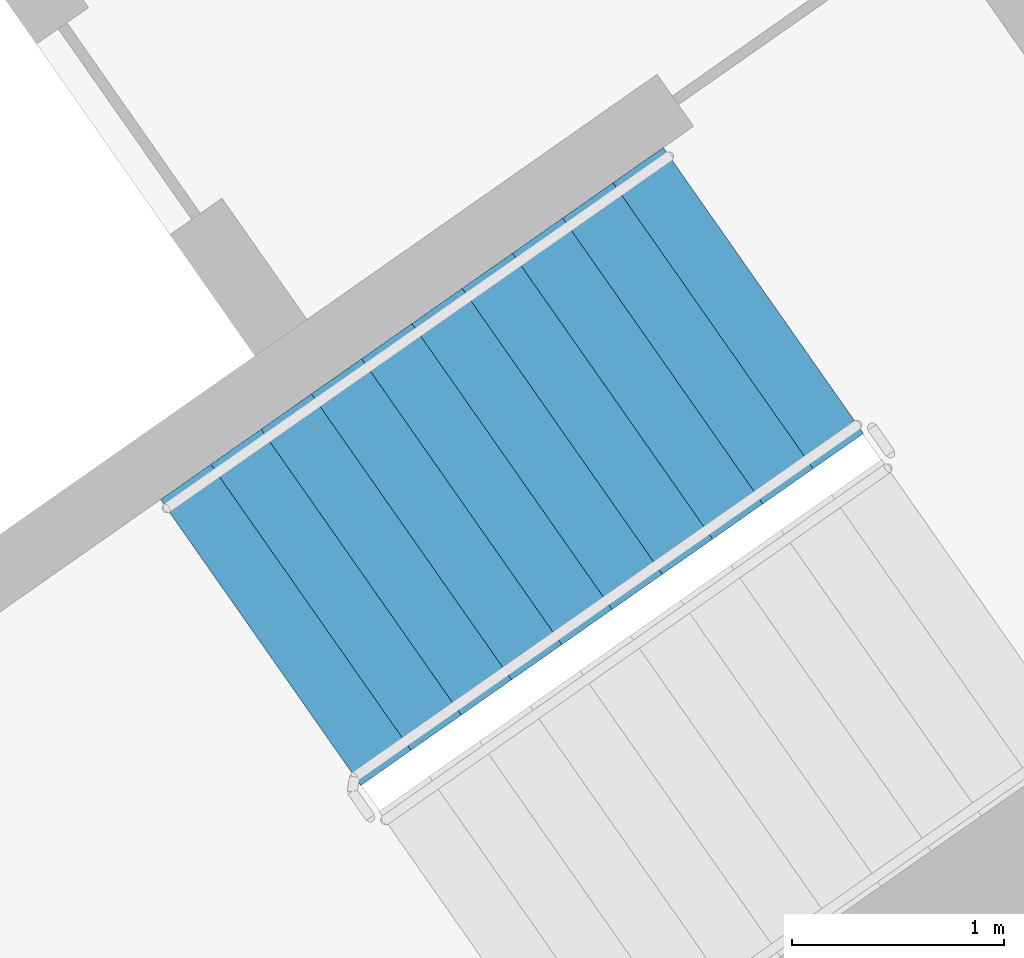
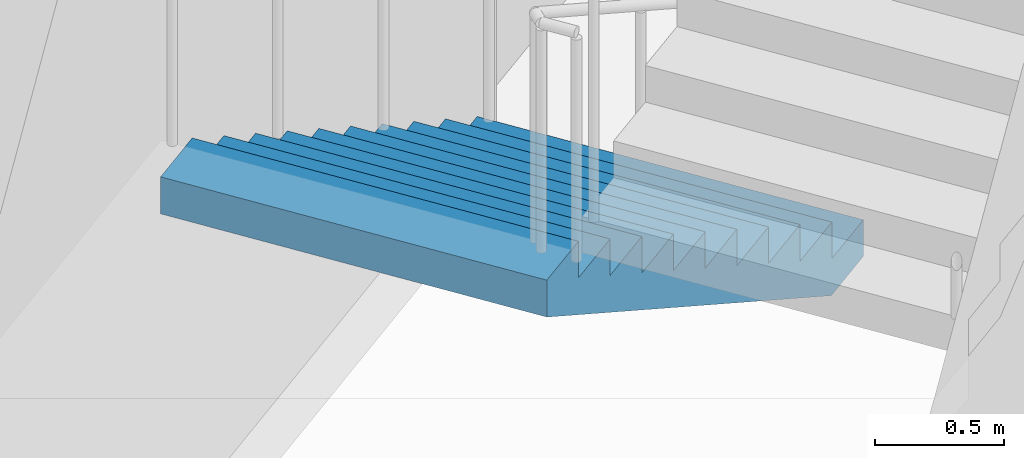
# One storey, part 14 of 28: 1 stair flight, 1 element without a shape of its own.
"""IFC4 building model written with IfcOpenShell, lengths in metres."""

from ifc_helpers import new_model, si_unit, direction, frame, origin, place, context, subcontext, project, spatial, faceted_brep, material, type_object, element, aggregate, save


model = new_model("IFC4")

# Units and contexts
model_context = context("Model", 3, precision=1e-05, world=origin(), true_north=direction((0.0, 1.0)))
body_context = subcontext(model_context, "Body", "Model", "MODEL_VIEW")
ifc_project = project(units=[si_unit("LENGTHUNIT", "METRE"), si_unit("AREAUNIT", "SQUARE_METRE"), si_unit("VOLUMEUNIT", "CUBIC_METRE"), si_unit("PLANEANGLEUNIT", "RADIAN"), si_unit("MASSUNIT", "GRAM", prefix="KILO")], contexts=[model_context])

# Site, building, storey
site_placement = place(None, origin())
site = spatial("IfcSite", under=ifc_project, at=site_placement, CompositionType="ELEMENT")
building_placement = place(site_placement, origin())
building = spatial("IfcBuilding", under=site, at=building_placement, Name="Qamariyya Broadcast Tower", CompositionType="ELEMENT")
storey_placement = place(building_placement, frame((0.0, 0.0, 241.699951171875)))
storey = spatial("IfcBuildingStorey", under=building, at=storey_placement, Name="L58", CompositionType="ELEMENT", Elevation=241.699951171875)

# Stair, stair flight
ifc_material = material(Name="Concrete C50/60", Category="concrete")
stair_type = type_object("IfcStairType", Name="Exit stair 22 risers of 173 mm", PredefinedType="HALF_TURN_STAIR", material=ifc_material)
stair_placement = place(storey_placement, origin())
stair = element("IfcStair", 1, at=stair_placement, inside=storey, type_object=stair_type, Name="L58 Stair E1", PredefinedType="HALF_TURN_STAIR")
stair_flight_type = type_object("IfcStairFlightType", Name="Exit stair flight 11 risers of 173 mm", PredefinedType="STRAIGHT", material=ifc_material)
stair_flight_placement = place(storey_placement, frame((46.036376953125, -55.508056640625, 0.0), z_axis=(0.0, 0.0, 1.0), x_axis=(-0.819152044289, -0.573576436351, 0.0)))
stair_flight = element("IfcStairFlight", 2, at=stair_flight_placement, type_object=stair_flight_type, Name="ST-E1 flight 1", NumberOfRisers=11, NumberOfTreads=10, PredefinedType="STRAIGHT", RiserHeight=0.172727273, TreadLength=0.29, context=body_context, shape_type="Brep", body=[
    faceted_brep([(0.0, 0.824951171875, 0.0), (0.0, 0.824951171875, 0.172607421875), (0.2900390625, 0.824951171875, 0.172607421875), (0.2900390625, 0.824951171875, 0.345458984375), (0.580078125, 0.824951171875, 0.345458984375), (0.580078125, 0.824951171875, 0.51806640625), (0.8701171875, 0.824951171875, 0.51806640625), (0.8701171875, 0.824951171875, 0.69091796875), (1.159912109375, 0.824951171875, 0.69091796875), (1.159912109375, 0.824951171875, 0.863525390625), (1.449951171875, 0.824951171875, 0.863525390625), (1.449951171875, 0.824951171875, 1.036376953125), (1.739990234375, 0.824951171875, 1.036376953125), (1.739990234375, 0.824951171875, 1.208984375), (2.030029296875, 0.824951171875, 1.208984375), (2.030029296875, 0.824951171875, 1.3818359375), (2.320068359375, 0.824951171875, 1.3818359375), (2.320068359375, 0.824951171875, 1.554443359375), (2.610107421875, 0.824951171875, 1.554443359375), (2.610107421875, 0.824951171875, 1.727294921875), (2.89990234375, 0.824951171875, 1.727294921875), (2.89990234375, 0.824951171875, 1.552734375), (0.29296875, 0.824951171875, 0.0), (0.29296875, -0.824951171875, 0.0), (2.89990234375, -0.824951171875, 1.552734375), (2.89990234375, -0.824951171875, 1.727294921875), (2.610107421875, -0.824951171875, 1.727294921875), (2.610107421875, -0.824951171875, 1.554443359375), (2.320068359375, -0.824951171875, 1.554443359375), (2.320068359375, -0.824951171875, 1.3818359375), (2.030029296875, -0.824951171875, 1.3818359375), (2.030029296875, -0.824951171875, 1.208984375), (1.739990234375, -0.824951171875, 1.208984375), (1.739990234375, -0.824951171875, 1.036376953125), (1.449951171875, -0.824951171875, 1.036376953125), (1.449951171875, -0.824951171875, 0.863525390625), (1.159912109375, -0.824951171875, 0.863525390625), (1.159912109375, -0.824951171875, 0.69091796875), (0.8701171875, -0.824951171875, 0.69091796875), (0.8701171875, -0.824951171875, 0.51806640625), (0.580078125, -0.824951171875, 0.51806640625), (0.580078125, -0.824951171875, 0.345458984375), (0.2900390625, -0.824951171875, 0.345458984375), (0.2900390625, -0.824951171875, 0.172607421875), (0.0, -0.824951171875, 0.172607421875), (0.0, -0.824951171875, 0.0), (0.0, 0.10009765625, 0.0), (0.0, 0.086669921875, 0.0), (0.0, 0.0732421875, 0.0), (0.0, 0.06005859375, 0.0), (0.0, 0.046630859375, 0.0), (0.0, 0.033447265625, 0.0), (0.0, 0.02001953125, 0.0), (0.0, 0.006591796875, 0.0), (0.0, -0.006591796875, 0.0), (0.0, -0.02001953125, 0.0), (0.0, -0.033447265625, 0.0), (0.0, -0.046630859375, 0.0), (0.0, -0.06005859375, 0.0), (0.0, -0.0732421875, 0.0), (0.0, -0.086669921875, 0.0), (0.0, -0.10009765625, 0.0), (0.0, -0.10009765625, 0.172607421875), (0.0, -0.086669921875, 0.172607421875), (0.0, -0.0732421875, 0.172607421875), (0.0, -0.06005859375, 0.172607421875), (0.0, -0.046630859375, 0.172607421875), (0.0, -0.033447265625, 0.172607421875), (0.0, -0.02001953125, 0.172607421875), (0.0, -0.006591796875, 0.172607421875), (0.0, 0.006591796875, 0.172607421875), (0.0, 0.02001953125, 0.172607421875), (0.0, 0.033447265625, 0.172607421875), (0.0, 0.046630859375, 0.172607421875), (0.0, 0.06005859375, 0.172607421875), (0.0, 0.0732421875, 0.172607421875), (0.0, 0.086669921875, 0.172607421875), (0.0, 0.10009765625, 0.172607421875), (0.2900390625, -0.10009765625, 0.172607421875), (0.2900390625, -0.086669921875, 0.172607421875), (0.2900390625, -0.0732421875, 0.172607421875), (0.2900390625, -0.06005859375, 0.172607421875), (0.2900390625, -0.046630859375, 0.172607421875), (0.2900390625, -0.033447265625, 0.172607421875), (0.2900390625, -0.02001953125, 0.172607421875), (0.2900390625, -0.006591796875, 0.172607421875), (0.2900390625, 0.006591796875, 0.172607421875), (0.2900390625, 0.02001953125, 0.172607421875), (0.2900390625, 0.033447265625, 0.172607421875), (0.2900390625, 0.046630859375, 0.172607421875), (0.2900390625, 0.06005859375, 0.172607421875), (0.2900390625, 0.0732421875, 0.172607421875), (0.2900390625, 0.086669921875, 0.172607421875), (0.2900390625, 0.10009765625, 0.172607421875), (0.2900390625, -0.10009765625, 0.345458984375), (0.2900390625, -0.086669921875, 0.345458984375), (0.2900390625, -0.0732421875, 0.345458984375), (0.2900390625, -0.06005859375, 0.345458984375), (0.2900390625, -0.046630859375, 0.345458984375), (0.2900390625, -0.033447265625, 0.345458984375), (0.2900390625, -0.02001953125, 0.345458984375), (0.2900390625, -0.006591796875, 0.345458984375), (0.2900390625, 0.006591796875, 0.345458984375), (0.2900390625, 0.02001953125, 0.345458984375), (0.2900390625, 0.033447265625, 0.345458984375), (0.2900390625, 0.046630859375, 0.345458984375), (0.2900390625, 0.06005859375, 0.345458984375), (0.2900390625, 0.0732421875, 0.345458984375), (0.2900390625, 0.086669921875, 0.345458984375), (0.2900390625, 0.10009765625, 0.345458984375), (0.580078125, -0.10009765625, 0.345458984375), (0.580078125, -0.086669921875, 0.345458984375), (0.580078125, -0.0732421875, 0.345458984375), (0.580078125, -0.06005859375, 0.345458984375), (0.580078125, -0.046630859375, 0.345458984375), (0.580078125, -0.033447265625, 0.345458984375), (0.580078125, -0.02001953125, 0.345458984375), (0.580078125, -0.006591796875, 0.345458984375), (0.580078125, 0.006591796875, 0.345458984375), (0.580078125, 0.02001953125, 0.345458984375), (0.580078125, 0.033447265625, 0.345458984375), (0.580078125, 0.046630859375, 0.345458984375), (0.580078125, 0.06005859375, 0.345458984375), (0.580078125, 0.0732421875, 0.345458984375), (0.580078125, 0.086669921875, 0.345458984375), (0.580078125, 0.10009765625, 0.345458984375), (0.580078125, -0.10009765625, 0.51806640625), (0.580078125, -0.086669921875, 0.51806640625), (0.580078125, -0.0732421875, 0.51806640625), (0.580078125, -0.06005859375, 0.51806640625), (0.580078125, -0.046630859375, 0.51806640625), (0.580078125, -0.033447265625, 0.51806640625), (0.580078125, -0.02001953125, 0.51806640625), (0.580078125, -0.006591796875, 0.51806640625), (0.580078125, 0.006591796875, 0.51806640625), (0.580078125, 0.02001953125, 0.51806640625), (0.580078125, 0.033447265625, 0.51806640625), (0.580078125, 0.046630859375, 0.51806640625), (0.580078125, 0.06005859375, 0.51806640625), (0.580078125, 0.0732421875, 0.51806640625), (0.580078125, 0.086669921875, 0.51806640625), (0.580078125, 0.10009765625, 0.51806640625), (0.8701171875, -0.10009765625, 0.51806640625), (0.8701171875, -0.086669921875, 0.51806640625), (0.8701171875, -0.0732421875, 0.51806640625), (0.8701171875, -0.06005859375, 0.51806640625), (0.8701171875, -0.046630859375, 0.51806640625), (0.8701171875, -0.033447265625, 0.51806640625), (0.8701171875, -0.02001953125, 0.51806640625), (0.8701171875, -0.006591796875, 0.51806640625), (0.8701171875, 0.006591796875, 0.51806640625), (0.8701171875, 0.02001953125, 0.51806640625), (0.8701171875, 0.033447265625, 0.51806640625), (0.8701171875, 0.046630859375, 0.51806640625), (0.8701171875, 0.06005859375, 0.51806640625), (0.8701171875, 0.0732421875, 0.51806640625), (0.8701171875, 0.086669921875, 0.51806640625), (0.8701171875, 0.10009765625, 0.51806640625), (0.8701171875, -0.10009765625, 0.69091796875), (0.8701171875, -0.086669921875, 0.69091796875), (0.8701171875, -0.0732421875, 0.69091796875), (0.8701171875, -0.06005859375, 0.69091796875), (0.8701171875, -0.046630859375, 0.69091796875), (0.8701171875, -0.033447265625, 0.69091796875), (0.8701171875, -0.02001953125, 0.69091796875), (0.8701171875, -0.006591796875, 0.69091796875), (0.8701171875, 0.006591796875, 0.69091796875), (0.8701171875, 0.02001953125, 0.69091796875), (0.8701171875, 0.033447265625, 0.69091796875), (0.8701171875, 0.046630859375, 0.69091796875), (0.8701171875, 0.06005859375, 0.69091796875), (0.8701171875, 0.0732421875, 0.69091796875), (0.8701171875, 0.086669921875, 0.69091796875), (0.8701171875, 0.10009765625, 0.69091796875), (1.159912109375, -0.10009765625, 0.69091796875), (1.159912109375, -0.086669921875, 0.69091796875), (1.159912109375, -0.0732421875, 0.69091796875), (1.159912109375, -0.06005859375, 0.69091796875), (1.159912109375, -0.046630859375, 0.69091796875), (1.159912109375, -0.033447265625, 0.69091796875), (1.159912109375, -0.02001953125, 0.69091796875), (1.159912109375, -0.006591796875, 0.69091796875), (1.159912109375, 0.006591796875, 0.69091796875), (1.159912109375, 0.02001953125, 0.69091796875), (1.159912109375, 0.033447265625, 0.69091796875), (1.159912109375, 0.046630859375, 0.69091796875), (1.159912109375, 0.06005859375, 0.69091796875), (1.159912109375, 0.0732421875, 0.69091796875), (1.159912109375, 0.086669921875, 0.69091796875), (1.159912109375, 0.10009765625, 0.69091796875), (1.159912109375, -0.10009765625, 0.863525390625), (1.159912109375, -0.086669921875, 0.863525390625), (1.159912109375, -0.0732421875, 0.863525390625), (1.159912109375, -0.06005859375, 0.863525390625), (1.159912109375, -0.046630859375, 0.863525390625), (1.159912109375, -0.033447265625, 0.863525390625), (1.159912109375, -0.02001953125, 0.863525390625), (1.159912109375, -0.006591796875, 0.863525390625), (1.159912109375, 0.006591796875, 0.863525390625), (1.159912109375, 0.02001953125, 0.863525390625), (1.159912109375, 0.033447265625, 0.863525390625), (1.159912109375, 0.046630859375, 0.863525390625), (1.159912109375, 0.06005859375, 0.863525390625), (1.159912109375, 0.0732421875, 0.863525390625), (1.159912109375, 0.086669921875, 0.863525390625), (1.159912109375, 0.10009765625, 0.863525390625), (1.449951171875, -0.10009765625, 0.863525390625), (1.449951171875, -0.086669921875, 0.863525390625), (1.449951171875, -0.0732421875, 0.863525390625), (1.449951171875, -0.06005859375, 0.863525390625), (1.449951171875, -0.046630859375, 0.863525390625), (1.449951171875, -0.033447265625, 0.863525390625), (1.449951171875, -0.02001953125, 0.863525390625), (1.449951171875, -0.006591796875, 0.863525390625), (1.449951171875, 0.006591796875, 0.863525390625), (1.449951171875, 0.02001953125, 0.863525390625), (1.449951171875, 0.033447265625, 0.863525390625), (1.449951171875, 0.046630859375, 0.863525390625), (1.449951171875, 0.06005859375, 0.863525390625), (1.449951171875, 0.0732421875, 0.863525390625), (1.449951171875, 0.086669921875, 0.863525390625), (1.449951171875, 0.10009765625, 0.863525390625), (1.449951171875, -0.10009765625, 1.036376953125), (1.449951171875, -0.086669921875, 1.036376953125), (1.449951171875, -0.0732421875, 1.036376953125), (1.449951171875, -0.06005859375, 1.036376953125), (1.449951171875, -0.046630859375, 1.036376953125), (1.449951171875, -0.033447265625, 1.036376953125), (1.449951171875, -0.02001953125, 1.036376953125), (1.449951171875, -0.006591796875, 1.036376953125), (1.449951171875, 0.006591796875, 1.036376953125), (1.449951171875, 0.02001953125, 1.036376953125), (1.449951171875, 0.033447265625, 1.036376953125), (1.449951171875, 0.046630859375, 1.036376953125), (1.449951171875, 0.06005859375, 1.036376953125), (1.449951171875, 0.0732421875, 1.036376953125), (1.449951171875, 0.086669921875, 1.036376953125), (1.449951171875, 0.10009765625, 1.036376953125), (1.739990234375, -0.10009765625, 1.036376953125), (1.739990234375, -0.086669921875, 1.036376953125), (1.739990234375, -0.0732421875, 1.036376953125), (1.739990234375, -0.06005859375, 1.036376953125), (1.739990234375, -0.046630859375, 1.036376953125), (1.739990234375, -0.033447265625, 1.036376953125), (1.739990234375, -0.02001953125, 1.036376953125), (1.739990234375, -0.006591796875, 1.036376953125), (1.739990234375, 0.006591796875, 1.036376953125), (1.739990234375, 0.02001953125, 1.036376953125), (1.739990234375, 0.033447265625, 1.036376953125), (1.739990234375, 0.046630859375, 1.036376953125), (1.739990234375, 0.06005859375, 1.036376953125), (1.739990234375, 0.0732421875, 1.036376953125), (1.739990234375, 0.086669921875, 1.036376953125), (1.739990234375, 0.10009765625, 1.036376953125), (1.739990234375, -0.10009765625, 1.208984375), (1.739990234375, -0.086669921875, 1.208984375), (1.739990234375, -0.0732421875, 1.208984375), (1.739990234375, -0.06005859375, 1.208984375), (1.739990234375, -0.046630859375, 1.208984375), (1.739990234375, -0.033447265625, 1.208984375), (1.739990234375, -0.02001953125, 1.208984375), (1.739990234375, -0.006591796875, 1.208984375), (1.739990234375, 0.006591796875, 1.208984375), (1.739990234375, 0.02001953125, 1.208984375), (1.739990234375, 0.033447265625, 1.208984375), (1.739990234375, 0.046630859375, 1.208984375), (1.739990234375, 0.06005859375, 1.208984375), (1.739990234375, 0.0732421875, 1.208984375), (1.739990234375, 0.086669921875, 1.208984375), (1.739990234375, 0.10009765625, 1.208984375), (2.030029296875, -0.10009765625, 1.208984375), (2.030029296875, -0.086669921875, 1.208984375), (2.030029296875, -0.0732421875, 1.208984375), (2.030029296875, -0.06005859375, 1.208984375), (2.030029296875, -0.046630859375, 1.208984375), (2.030029296875, -0.033447265625, 1.208984375), (2.030029296875, -0.02001953125, 1.208984375), (2.030029296875, -0.006591796875, 1.208984375), (2.030029296875, 0.006591796875, 1.208984375), (2.030029296875, 0.02001953125, 1.208984375), (2.030029296875, 0.033447265625, 1.208984375), (2.030029296875, 0.046630859375, 1.208984375), (2.030029296875, 0.06005859375, 1.208984375), (2.030029296875, 0.0732421875, 1.208984375), (2.030029296875, 0.086669921875, 1.208984375), (2.030029296875, 0.10009765625, 1.208984375), (2.030029296875, -0.10009765625, 1.3818359375), (2.030029296875, -0.086669921875, 1.3818359375), (2.030029296875, -0.0732421875, 1.3818359375), (2.030029296875, -0.06005859375, 1.3818359375), (2.030029296875, -0.046630859375, 1.3818359375), (2.030029296875, -0.033447265625, 1.3818359375), (2.030029296875, -0.02001953125, 1.3818359375), (2.030029296875, -0.006591796875, 1.3818359375), (2.030029296875, 0.006591796875, 1.3818359375), (2.030029296875, 0.02001953125, 1.3818359375), (2.030029296875, 0.033447265625, 1.3818359375), (2.030029296875, 0.046630859375, 1.3818359375), (2.030029296875, 0.06005859375, 1.3818359375), (2.030029296875, 0.0732421875, 1.3818359375), (2.030029296875, 0.086669921875, 1.3818359375), (2.030029296875, 0.10009765625, 1.3818359375), (2.320068359375, -0.10009765625, 1.3818359375), (2.320068359375, -0.086669921875, 1.3818359375), (2.320068359375, -0.0732421875, 1.3818359375), (2.320068359375, -0.06005859375, 1.3818359375), (2.320068359375, -0.046630859375, 1.3818359375), (2.320068359375, -0.033447265625, 1.3818359375), (2.320068359375, -0.02001953125, 1.3818359375), (2.320068359375, -0.006591796875, 1.3818359375), (2.320068359375, 0.006591796875, 1.3818359375), (2.320068359375, 0.02001953125, 1.3818359375), (2.320068359375, 0.033447265625, 1.3818359375), (2.320068359375, 0.046630859375, 1.3818359375), (2.320068359375, 0.06005859375, 1.3818359375), (2.320068359375, 0.0732421875, 1.3818359375), (2.320068359375, 0.086669921875, 1.3818359375), (2.320068359375, 0.10009765625, 1.3818359375), (2.320068359375, -0.10009765625, 1.554443359375), (2.320068359375, -0.086669921875, 1.554443359375), (2.320068359375, -0.0732421875, 1.554443359375), (2.320068359375, -0.06005859375, 1.554443359375), (2.320068359375, -0.046630859375, 1.554443359375), (2.320068359375, -0.033447265625, 1.554443359375), (2.320068359375, -0.02001953125, 1.554443359375), (2.320068359375, -0.006591796875, 1.554443359375), (2.320068359375, 0.006591796875, 1.554443359375), (2.320068359375, 0.02001953125, 1.554443359375), (2.320068359375, 0.033447265625, 1.554443359375), (2.320068359375, 0.046630859375, 1.554443359375), (2.320068359375, 0.06005859375, 1.554443359375), (2.320068359375, 0.0732421875, 1.554443359375), (2.320068359375, 0.086669921875, 1.554443359375), (2.320068359375, 0.10009765625, 1.554443359375), (2.610107421875, -0.10009765625, 1.554443359375), (2.610107421875, -0.086669921875, 1.554443359375), (2.610107421875, -0.0732421875, 1.554443359375), (2.610107421875, -0.06005859375, 1.554443359375), (2.610107421875, -0.046630859375, 1.554443359375), (2.610107421875, -0.033447265625, 1.554443359375), (2.610107421875, -0.02001953125, 1.554443359375), (2.610107421875, -0.006591796875, 1.554443359375), (2.610107421875, 0.006591796875, 1.554443359375), (2.610107421875, 0.02001953125, 1.554443359375), (2.610107421875, 0.033447265625, 1.554443359375), (2.610107421875, 0.046630859375, 1.554443359375), (2.610107421875, 0.06005859375, 1.554443359375), (2.610107421875, 0.0732421875, 1.554443359375), (2.610107421875, 0.086669921875, 1.554443359375), (2.610107421875, 0.10009765625, 1.554443359375), (2.610107421875, -0.10009765625, 1.727294921875), (2.610107421875, -0.086669921875, 1.727294921875), (2.610107421875, -0.0732421875, 1.727294921875), (2.610107421875, -0.06005859375, 1.727294921875), (2.610107421875, -0.046630859375, 1.727294921875), (2.610107421875, -0.033447265625, 1.727294921875), (2.610107421875, -0.02001953125, 1.727294921875), (2.610107421875, -0.006591796875, 1.727294921875), (2.610107421875, 0.006591796875, 1.727294921875), (2.610107421875, 0.02001953125, 1.727294921875), (2.610107421875, 0.033447265625, 1.727294921875), (2.610107421875, 0.046630859375, 1.727294921875), (2.610107421875, 0.06005859375, 1.727294921875), (2.610107421875, 0.0732421875, 1.727294921875), (2.610107421875, 0.086669921875, 1.727294921875), (2.610107421875, 0.10009765625, 1.727294921875), (2.89990234375, -0.10009765625, 1.727294921875), (2.89990234375, -0.086669921875, 1.727294921875), (2.89990234375, -0.0732421875, 1.727294921875), (2.89990234375, -0.06005859375, 1.727294921875), (2.89990234375, -0.046630859375, 1.727294921875), (2.89990234375, -0.033447265625, 1.727294921875), (2.89990234375, -0.02001953125, 1.727294921875), (2.89990234375, -0.006591796875, 1.727294921875), (2.89990234375, 0.006591796875, 1.727294921875), (2.89990234375, 0.02001953125, 1.727294921875), (2.89990234375, 0.033447265625, 1.727294921875), (2.89990234375, 0.046630859375, 1.727294921875), (2.89990234375, 0.06005859375, 1.727294921875), (2.89990234375, 0.0732421875, 1.727294921875), (2.89990234375, 0.086669921875, 1.727294921875), (2.89990234375, 0.10009765625, 1.727294921875), (2.89990234375, -0.10009765625, 1.552734375), (2.89990234375, -0.086669921875, 1.552734375), (2.89990234375, -0.0732421875, 1.552734375), (2.89990234375, -0.06005859375, 1.552734375), (2.89990234375, -0.046630859375, 1.552734375), (2.89990234375, -0.033447265625, 1.552734375), (2.89990234375, -0.02001953125, 1.552734375), (2.89990234375, -0.006591796875, 1.552734375), (2.89990234375, 0.006591796875, 1.552734375), (2.89990234375, 0.02001953125, 1.552734375), (2.89990234375, 0.033447265625, 1.552734375), (2.89990234375, 0.046630859375, 1.552734375), (2.89990234375, 0.06005859375, 1.552734375), (2.89990234375, 0.0732421875, 1.552734375), (2.89990234375, 0.086669921875, 1.552734375), (2.89990234375, 0.10009765625, 1.552734375), (0.29296875, -0.10009765625, 0.0), (0.29296875, -0.086669921875, 0.0), (0.29296875, -0.0732421875, 0.0), (0.29296875, -0.06005859375, 0.0), (0.29296875, -0.046630859375, 0.0), (0.29296875, -0.033447265625, 0.0), (0.29296875, -0.02001953125, 0.0), (0.29296875, -0.006591796875, 0.0), (0.29296875, 0.006591796875, 0.0), (0.29296875, 0.02001953125, 0.0), (0.29296875, 0.033447265625, 0.0), (0.29296875, 0.046630859375, 0.0), (0.29296875, 0.06005859375, 0.0), (0.29296875, 0.0732421875, 0.0), (0.29296875, 0.086669921875, 0.0), (0.29296875, 0.10009765625, 0.0)], [[[0, 1, 2, 3, 4, 5, 6, 7, 8, 9, 10, 11, 12, 13, 14, 15, 16, 17, 18, 19, 20, 21, 22]], [[23, 24, 25, 26, 27, 28, 29, 30, 31, 32, 33, 34, 35, 36, 37, 38, 39, 40, 41, 42, 43, 44, 45]], [[0, 46, 47, 48, 49, 50, 51, 52, 53, 54, 55, 56, 57, 58, 59, 60, 61, 45, 44, 62, 63, 64, 65, 66, 67, 68, 69, 70, 71, 72, 73, 74, 75, 76, 77, 1]], [[1, 77, 76, 75, 74, 73, 72, 71, 70, 69, 68, 67, 66, 65, 64, 63, 62, 44, 43, 78, 79, 80, 81, 82, 83, 84, 85, 86, 87, 88, 89, 90, 91, 92, 93, 2]], [[2, 93, 92, 91, 90, 89, 88, 87, 86, 85, 84, 83, 82, 81, 80, 79, 78, 43, 42, 94, 95, 96, 97, 98, 99, 100, 101, 102, 103, 104, 105, 106, 107, 108, 109, 3]], [[3, 109, 108, 107, 106, 105, 104, 103, 102, 101, 100, 99, 98, 97, 96, 95, 94, 42, 41, 110, 111, 112, 113, 114, 115, 116, 117, 118, 119, 120, 121, 122, 123, 124, 125, 4]], [[4, 125, 124, 123, 122, 121, 120, 119, 118, 117, 116, 115, 114, 113, 112, 111, 110, 41, 40, 126, 127, 128, 129, 130, 131, 132, 133, 134, 135, 136, 137, 138, 139, 140, 141, 5]], [[5, 141, 140, 139, 138, 137, 136, 135, 134, 133, 132, 131, 130, 129, 128, 127, 126, 40, 39, 142, 143, 144, 145, 146, 147, 148, 149, 150, 151, 152, 153, 154, 155, 156, 157, 6]], [[6, 157, 156, 155, 154, 153, 152, 151, 150, 149, 148, 147, 146, 145, 144, 143, 142, 39, 38, 158, 159, 160, 161, 162, 163, 164, 165, 166, 167, 168, 169, 170, 171, 172, 173, 7]], [[7, 173, 172, 171, 170, 169, 168, 167, 166, 165, 164, 163, 162, 161, 160, 159, 158, 38, 37, 174, 175, 176, 177, 178, 179, 180, 181, 182, 183, 184, 185, 186, 187, 188, 189, 8]], [[8, 189, 188, 187, 186, 185, 184, 183, 182, 181, 180, 179, 178, 177, 176, 175, 174, 37, 36, 190, 191, 192, 193, 194, 195, 196, 197, 198, 199, 200, 201, 202, 203, 204, 205, 9]], [[9, 205, 204, 203, 202, 201, 200, 199, 198, 197, 196, 195, 194, 193, 192, 191, 190, 36, 35, 206, 207, 208, 209, 210, 211, 212, 213, 214, 215, 216, 217, 218, 219, 220, 221, 10]], [[10, 221, 220, 219, 218, 217, 216, 215, 214, 213, 212, 211, 210, 209, 208, 207, 206, 35, 34, 222, 223, 224, 225, 226, 227, 228, 229, 230, 231, 232, 233, 234, 235, 236, 237, 11]], [[11, 237, 236, 235, 234, 233, 232, 231, 230, 229, 228, 227, 226, 225, 224, 223, 222, 34, 33, 238, 239, 240, 241, 242, 243, 244, 245, 246, 247, 248, 249, 250, 251, 252, 253, 12]], [[12, 253, 252, 251, 250, 249, 248, 247, 246, 245, 244, 243, 242, 241, 240, 239, 238, 33, 32, 254, 255, 256, 257, 258, 259, 260, 261, 262, 263, 264, 265, 266, 267, 268, 269, 13]], [[13, 269, 268, 267, 266, 265, 264, 263, 262, 261, 260, 259, 258, 257, 256, 255, 254, 32, 31, 270, 271, 272, 273, 274, 275, 276, 277, 278, 279, 280, 281, 282, 283, 284, 285, 14]], [[14, 285, 284, 283, 282, 281, 280, 279, 278, 277, 276, 275, 274, 273, 272, 271, 270, 31, 30, 286, 287, 288, 289, 290, 291, 292, 293, 294, 295, 296, 297, 298, 299, 300, 301, 15]], [[15, 301, 300, 299, 298, 297, 296, 295, 294, 293, 292, 291, 290, 289, 288, 287, 286, 30, 29, 302, 303, 304, 305, 306, 307, 308, 309, 310, 311, 312, 313, 314, 315, 316, 317, 16]], [[16, 317, 316, 315, 314, 313, 312, 311, 310, 309, 308, 307, 306, 305, 304, 303, 302, 29, 28, 318, 319, 320, 321, 322, 323, 324, 325, 326, 327, 328, 329, 330, 331, 332, 333, 17]], [[17, 333, 332, 331, 330, 329, 328, 327, 326, 325, 324, 323, 322, 321, 320, 319, 318, 28, 27, 334, 335, 336, 337, 338, 339, 340, 341, 342, 343, 344, 345, 346, 347, 348, 349, 18]], [[18, 349, 348, 347, 346, 345, 344, 343, 342, 341, 340, 339, 338, 337, 336, 335, 334, 27, 26, 350, 351, 352, 353, 354, 355, 356, 357, 358, 359, 360, 361, 362, 363, 364, 365, 19]], [[19, 365, 364, 363, 362, 361, 360, 359, 358, 357, 356, 355, 354, 353, 352, 351, 350, 26, 25, 366, 367, 368, 369, 370, 371, 372, 373, 374, 375, 376, 377, 378, 379, 380, 381, 20]], [[20, 381, 380, 379, 378, 377, 376, 375, 374, 373, 372, 371, 370, 369, 368, 367, 366, 25, 24, 382, 383, 384, 385, 386, 387, 388, 389, 390, 391, 392, 393, 394, 395, 396, 397, 21]], [[21, 397, 396, 395, 394, 393, 392, 391, 390, 389, 388, 387, 386, 385, 384, 383, 382, 24, 23, 398, 399, 400, 401, 402, 403, 404, 405, 406, 407, 408, 409, 410, 411, 412, 413, 22]], [[22, 413, 412, 411, 410, 409, 408, 407, 406, 405, 404, 403, 402, 401, 400, 399, 398, 23, 45, 61, 60, 59, 58, 57, 56, 55, 54, 53, 52, 51, 50, 49, 48, 47, 46, 0]]]),
])
aggregate(stair, [stair_flight])

save(model, "model.ifc")
